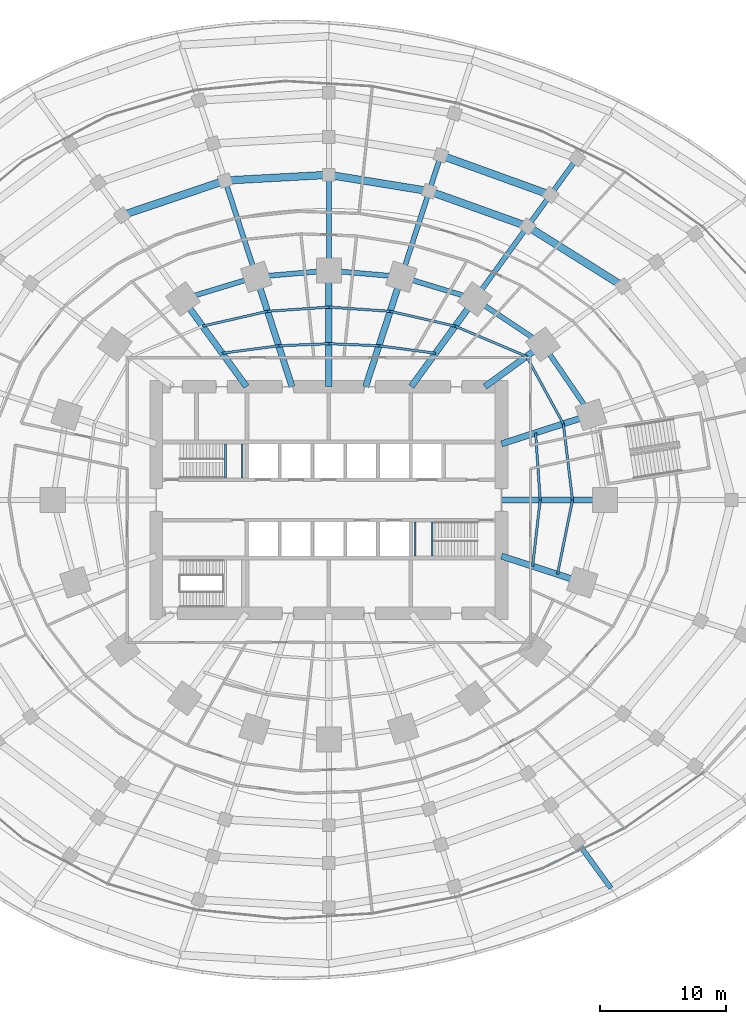
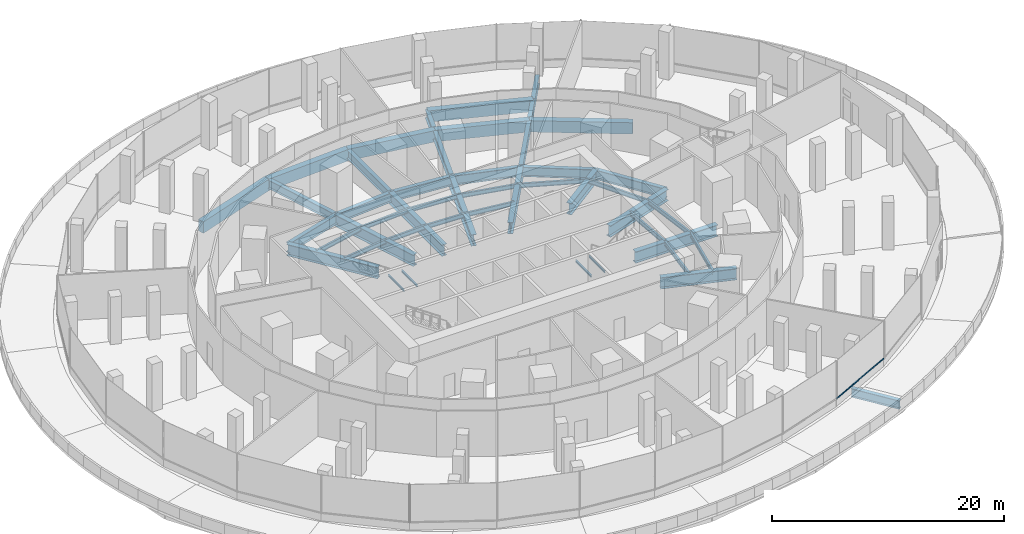
# One storey, part 11 of 31: 47 beams, 1 member, 1 element without a shape of its own.
"""IFC4 building model written with IfcOpenShell, lengths in metres."""

from ifc_helpers import new_model, si_unit, direction, frame, origin, origin_2d, place, context, subcontext, project, spatial, rectangle, i_section, extrude, material, material_profile, profile_set, type_object, element, aggregate, save


model = new_model("IFC4")

# Units and contexts
model_context = context("Model", 3, precision=1e-05, world=origin(), true_north=direction((0.0, 1.0)))
body_context = subcontext(model_context, "Body", "Model", "MODEL_VIEW")
ifc_project = project(units=[si_unit("LENGTHUNIT", "METRE"), si_unit("AREAUNIT", "SQUARE_METRE"), si_unit("VOLUMEUNIT", "CUBIC_METRE"), si_unit("PLANEANGLEUNIT", "RADIAN"), si_unit("MASSUNIT", "GRAM", prefix="KILO")], contexts=[model_context])

# Site, building, storey
site_placement = place(None, origin())
site = spatial("IfcSite", under=ifc_project, at=site_placement, CompositionType="ELEMENT")
building_placement = place(site_placement, origin())
building = spatial("IfcBuilding", under=site, at=building_placement, Name="Marramba Exchange Tower", CompositionType="ELEMENT")
storey_placement = place(building_placement, frame((0.0, 0.0, 5.60009765625)))
storey = spatial("IfcBuildingStorey", under=building, at=storey_placement, Name="L01", CompositionType="ELEMENT", Elevation=5.60009765625)

# Beams
ifc_material_1 = material(Name="Concrete N50", Category="concrete")
ifc_material_profile_1 = material_profile(ifc_material_1, rectangle(XDim=0.60009765625, YDim=1.199951171875, at=origin_2d()), Name="RC 600x1200")
ifc_profile_set_1 = profile_set([ifc_material_profile_1], Name="Concrete N50")
beam_type_1 = type_object("IfcBeamType", Name="Edge beam RC 600x1200 N50", PredefinedType="SPANDREL", material=ifc_profile_set_1)
beam_1_placement = place(storey_placement, frame((17.585205078125, 24.203857421875, -0.800048828125), z_axis=(-0.940481976413, 0.339843569958, 0.0), x_axis=(-0.339843569958, -0.940481976413, 0.0)))
element("IfcBeam", 1, at=beam_1_placement, inside=storey, type_object=beam_type_1, Name="Edge beam L01 P2C04", PredefinedType="SPANDREL", context=body_context, shape_type="SweptSolid", body=[
    extrude(rectangle(XDim=0.60009765625, YDim=1.199951171875, at=origin_2d()), origin(), (0.0, 0.0, 1.0), 9.25),
])
beam_2_placement = place(storey_placement, frame((23.34228515625, 16.959228515625, -0.800048828125), z_axis=(-0.847342315291, 0.531047079567, 0.0), x_axis=(-0.531047079567, -0.847342315291, 0.0)))
element("IfcBeam", 2, at=beam_2_placement, inside=storey, type_object=beam_type_1, Name="Edge beam L01 P3C03", PredefinedType="SPANDREL", context=body_context, shape_type="SweptSolid", body=[
    extrude(rectangle(XDim=0.60009765625, YDim=1.199951171875, at=origin_2d()), origin(), (0.0, 0.0, 1.0), 8.936767578125),
])
beam_3_placement = place(storey_placement, frame((15.769775390625, 21.705078125, -0.800048828125), z_axis=(-0.941347695699, 0.337438165895, 0.0), x_axis=(-0.337438165895, -0.941347695699, 0.0)))
element("IfcBeam", 3, at=beam_3_placement, inside=storey, type_object=beam_type_1, Name="Edge beam L01 P3C04", PredefinedType="SPANDREL", context=body_context, shape_type="SweptSolid", body=[
    extrude(rectangle(XDim=0.60009765625, YDim=1.199951171875, at=origin_2d()), origin(), (0.0, 0.0, 1.0), 8.29443359375),
])
beam_4_placement = place(storey_placement, frame((7.9619140625, 24.50390625, -0.800048828125), z_axis=(-0.987006935066, 0.160677659091, 0.0), x_axis=(-0.160677659091, -0.987006935066, 0.0)))
element("IfcBeam", 4, at=beam_4_placement, inside=storey, type_object=beam_type_1, Name="Edge beam L01 P3C05", PredefinedType="SPANDREL", context=body_context, shape_type="SweptSolid", body=[
    extrude(rectangle(XDim=0.60009765625, YDim=1.199951171875, at=origin_2d()), origin(), (0.0, 0.0, 1.0), 8.066650390625),
])
beam_5_placement = place(storey_placement, frame((0.0, 25.800048828125, -0.800048828125), z_axis=(-0.998493145598, -0.054876572358, 0.0), x_axis=(0.054876572358, -0.998493145598, 0.0)))
element("IfcBeam", 5, at=beam_5_placement, inside=storey, type_object=beam_type_1, Name="Edge beam L01 P3C06", PredefinedType="SPANDREL", context=body_context, shape_type="SweptSolid", body=[
    extrude(rectangle(XDim=0.60009765625, YDim=1.199951171875, at=origin_2d()), origin(), (0.0, 0.0, 1.0), 8.248291015625),
])
beam_6_placement = place(storey_placement, frame((-8.23583984375, 25.347412109375, -0.800048828125), z_axis=(-0.947330534482, -0.320257487715, 0.0), x_axis=(0.320257487715, -0.947330534482, 0.0)))
element("IfcBeam", 6, at=beam_6_placement, inside=storey, type_object=beam_type_1, Name="Edge beam L01 P3C07", PredefinedType="SPANDREL", context=body_context, shape_type="SweptSolid", body=[
    extrude(rectangle(XDim=0.60009765625, YDim=1.199951171875, at=origin_2d()), origin(), (0.0, 0.0, 1.0), 8.627197265625),
])
ifc_material_2 = material(Name="Steel AS/NZS 3679.1 grade 300", Category="steel")
ifc_material_profile_2 = material_profile(ifc_material_2, i_section(OverallWidth=0.18994140625, OverallDepth=0.4541015625, WebThickness=0.008544921875, FlangeThickness=0.0126953125, FilletRadius=0.011474609375, at=origin_2d()), Name="460UB67.1")
ifc_profile_set_2 = profile_set([ifc_material_profile_2], Name="Steel AS/NZS 3679.1 grade 300")
beam_type_2 = type_object("IfcBeamType", Name="Floor joist 460UB67.1", PredefinedType="JOIST", material=ifc_profile_set_2)
beam_7_placement = place(storey_placement, frame((16.7666015625, 0.0, -0.427001953125), z_axis=(-0.068096259546, 0.99767875563, 0.0), x_axis=(-0.99767875563, -0.068096259546, 0.0)))
element("IfcBeam", 7, at=beam_7_placement, inside=storey, type_object=beam_type_2, Name="Joist L01 bay 01 row 1", PredefinedType="JOIST", context=body_context, shape_type="SweptSolid", body=[
    extrude(i_section(OverallWidth=0.18994140625, OverallDepth=0.4541015625, WebThickness=0.008544921875, FlangeThickness=0.0126953125, FilletRadius=0.011474609375, at=origin_2d()), origin(), (0.0, 0.0, 1.0), 5.342041015625),
])
beam_8_placement = place(storey_placement, frame((19.333251953125, 0.0, -0.427001953125), z_axis=(-0.119523078538, 0.992831422597, 0.0), x_axis=(-0.992831422597, -0.119523078538, 0.0)))
element("IfcBeam", 8, at=beam_8_placement, inside=storey, type_object=beam_type_2, Name="Joist L01 bay 01 row 2", PredefinedType="JOIST", context=body_context, shape_type="SweptSolid", body=[
    extrude(i_section(OverallWidth=0.18994140625, OverallDepth=0.4541015625, WebThickness=0.008544921875, FlangeThickness=0.0126953125, FilletRadius=0.011474609375, at=origin_2d()), origin(), (0.0, 0.0, 1.0), 6.089111328125),
])
beam_9_placement = place(storey_placement, frame((18.60546875, 6.04541015625, -0.427001953125), z_axis=(-0.479584443791, 0.877495732909, 0.0), x_axis=(-0.877495732909, -0.479584443791, 0.0)))
element("IfcBeam", 9, at=beam_9_placement, inside=storey, type_object=beam_type_2, Name="Joist L01 bay 02 row 2", PredefinedType="JOIST", context=body_context, shape_type="SweptSolid", body=[
    extrude(i_section(OverallWidth=0.18994140625, OverallDepth=0.4541015625, WebThickness=0.008544921875, FlangeThickness=0.0126953125, FilletRadius=0.011474609375, at=origin_2d()), origin(), (0.0, 0.0, 1.0), 6.094970703125),
])
beam_10_placement = place(storey_placement, frame((15.682373046875, 11.393798828125, -0.427001953125), z_axis=(-0.920674336375, 0.390331610738, 0.0), x_axis=(-0.390331610738, -0.920674336375, 0.0)))
element("IfcBeam", 10, at=beam_10_placement, inside=storey, type_object=beam_type_2, Name="Joist L01 bay 03 row 2", PredefinedType="JOIST", context=body_context, shape_type="SweptSolid", body=[
    extrude(i_section(OverallWidth=0.18994140625, OverallDepth=0.4541015625, WebThickness=0.008544921875, FlangeThickness=0.0126953125, FilletRadius=0.011474609375, at=origin_2d()), origin(), (0.0, 0.0, 1.0), 6.1484375),
])
beam_11_placement = place(storey_placement, frame((8.4619140625, 11.646728515625, -0.427001953125), z_axis=(-0.991480538255, 0.130254912618, 0.0), x_axis=(-0.130254912618, -0.991480538255, 0.0)))
element("IfcBeam", 11, at=beam_11_placement, inside=storey, type_object=beam_type_2, Name="Joist L01 bay 04 row 1", PredefinedType="JOIST", context=body_context, shape_type="SweptSolid", body=[
    extrude(i_section(OverallWidth=0.18994140625, OverallDepth=0.4541015625, WebThickness=0.008544921875, FlangeThickness=0.0126953125, FilletRadius=0.011474609375, at=origin_2d()), origin(), (0.0, 0.0, 1.0), 4.524658203125),
])
beam_12_placement = place(storey_placement, frame((10.021728515625, 13.793701171875, -0.427001953125), z_axis=(-0.974859652292, 0.222819788916, 0.0), x_axis=(-0.222819788916, -0.974859652292, 0.0)))
element("IfcBeam", 12, at=beam_12_placement, inside=storey, type_object=beam_type_2, Name="Joist L01 bay 04 row 2", PredefinedType="JOIST", context=body_context, shape_type="SweptSolid", body=[
    extrude(i_section(OverallWidth=0.18994140625, OverallDepth=0.4541015625, WebThickness=0.008544921875, FlangeThickness=0.0126953125, FilletRadius=0.011474609375, at=origin_2d()), origin(), (0.0, 0.0, 1.0), 5.2900390625),
])
beam_13_placement = place(storey_placement, frame((3.975830078125, 12.236083984375, -0.427001953125), z_axis=(-0.999137002892, 0.041536122257, 0.0), x_axis=(-0.041536122257, -0.999137002892, 0.0)))
element("IfcBeam", 13, at=beam_13_placement, inside=storey, type_object=beam_type_2, Name="Joist L01 bay 05 row 1", PredefinedType="JOIST", context=body_context, shape_type="SweptSolid", body=[
    extrude(i_section(OverallWidth=0.18994140625, OverallDepth=0.4541015625, WebThickness=0.008544921875, FlangeThickness=0.0126953125, FilletRadius=0.011474609375, at=origin_2d()), origin(), (0.0, 0.0, 1.0), 3.979248046875),
])
beam_14_placement = place(storey_placement, frame((4.86474609375, 14.972412109375, -0.427001953125), z_axis=(-0.997702652202, 0.067745241816, 0.0), x_axis=(-0.067745241816, -0.997702652202, 0.0)))
element("IfcBeam", 14, at=beam_14_placement, inside=storey, type_object=beam_type_2, Name="Joist L01 bay 05 row 2", PredefinedType="JOIST", context=body_context, shape_type="SweptSolid", body=[
    extrude(i_section(OverallWidth=0.18994140625, OverallDepth=0.4541015625, WebThickness=0.008544921875, FlangeThickness=0.0126953125, FilletRadius=0.011474609375, at=origin_2d()), origin(), (0.0, 0.0, 1.0), 4.8759765625),
])
beam_15_placement = place(storey_placement, frame((0.0, 12.4013671875, -0.427001953125), z_axis=(-0.999137002892, -0.041536122257, 0.0), x_axis=(0.041536122257, -0.999137002892, 0.0)))
element("IfcBeam", 15, at=beam_15_placement, inside=storey, type_object=beam_type_2, Name="Joist L01 bay 06 row 1", PredefinedType="JOIST", context=body_context, shape_type="SweptSolid", body=[
    extrude(i_section(OverallWidth=0.18994140625, OverallDepth=0.4541015625, WebThickness=0.008544921875, FlangeThickness=0.0126953125, FilletRadius=0.011474609375, at=origin_2d()), origin(), (0.0, 0.0, 1.0), 3.979248046875),
])
beam_16_placement = place(storey_placement, frame((0.0, 15.302734375, -0.427001953125), z_axis=(-0.997702652202, -0.067745241816, 0.0), x_axis=(0.067745241816, -0.997702652202, 0.0)))
element("IfcBeam", 16, at=beam_16_placement, inside=storey, type_object=beam_type_2, Name="Joist L01 bay 06 row 2", PredefinedType="JOIST", context=body_context, shape_type="SweptSolid", body=[
    extrude(i_section(OverallWidth=0.18994140625, OverallDepth=0.4541015625, WebThickness=0.008544921875, FlangeThickness=0.0126953125, FilletRadius=0.011474609375, at=origin_2d()), origin(), (0.0, 0.0, 1.0), 4.8759765625),
])
beam_17_placement = place(storey_placement, frame((-3.975830078125, 12.236083984375, -0.427001953125), z_axis=(-0.991480538255, -0.130254912618, 0.0), x_axis=(0.130254912618, -0.991480538255, 0.0)))
element("IfcBeam", 17, at=beam_17_placement, inside=storey, type_object=beam_type_2, Name="Joist L01 bay 07 row 1", PredefinedType="JOIST", context=body_context, shape_type="SweptSolid", body=[
    extrude(i_section(OverallWidth=0.18994140625, OverallDepth=0.4541015625, WebThickness=0.008544921875, FlangeThickness=0.0126953125, FilletRadius=0.011474609375, at=origin_2d()), origin(), (0.0, 0.0, 1.0), 4.524658203125),
])
beam_18_placement = place(storey_placement, frame((-4.86474609375, 14.972412109375, -0.427001953125), z_axis=(-0.974859652292, -0.222819788916, 0.0), x_axis=(0.222819788916, -0.974859652292, 0.0)))
element("IfcBeam", 18, at=beam_18_placement, inside=storey, type_object=beam_type_2, Name="Joist L01 bay 07 row 2", PredefinedType="JOIST", context=body_context, shape_type="SweptSolid", body=[
    extrude(i_section(OverallWidth=0.18994140625, OverallDepth=0.4541015625, WebThickness=0.008544921875, FlangeThickness=0.0126953125, FilletRadius=0.011474609375, at=origin_2d()), origin(), (0.0, 0.0, 1.0), 5.2900390625),
])
beam_19_placement = place(storey_placement, frame((16.169677734375, -5.25390625, -0.427001953125), z_axis=(0.112888968594, 0.993607609054, 0.0), x_axis=(-0.993607609054, 0.112888968594, 0.0)))
element("IfcBeam", 19, at=beam_19_placement, inside=storey, type_object=beam_type_2, Name="Joist L01 bay 20 row 1", PredefinedType="JOIST", context=body_context, shape_type="SweptSolid", body=[
    extrude(i_section(OverallWidth=0.18994140625, OverallDepth=0.4541015625, WebThickness=0.008544921875, FlangeThickness=0.0126953125, FilletRadius=0.011474609375, at=origin_2d()), origin(), (0.0, 0.0, 1.0), 5.28759765625),
])
beam_20_placement = place(storey_placement, frame((18.1396484375, -5.893798828125, -0.427001953125), z_axis=(0.198489047047, 0.980103105904, 0.0), x_axis=(-0.980103105904, 0.198489047047, 0.0)))
element("IfcBeam", 20, at=beam_20_placement, inside=storey, type_object=beam_type_2, Name="Joist L01 bay 20 row 2", PredefinedType="JOIST", context=body_context, shape_type="SweptSolid", body=[
    extrude(i_section(OverallWidth=0.18994140625, OverallDepth=0.4541015625, WebThickness=0.008544921875, FlangeThickness=0.0126953125, FilletRadius=0.011474609375, at=origin_2d()), origin(), (0.0, 0.0, 1.0), 6.013427734375),
])

# Curtain wall, member
ifc_material_3 = material(Name="Aluminium framing, bronze anodised", Category="aluminium")
curtain_wall_type = type_object("IfcCurtainWallType", Name="Podium ribbon curtain wall", PredefinedType="USERDEFINED", material=ifc_material_3)
curtain_wall_placement = place(storey_placement, origin())
curtain_wall = element("IfcCurtainWall", 21, at=curtain_wall_placement, inside=storey, type_object=curtain_wall_type, Name="Curtain wall CW2 L01 F26-F27", ObjectType="RIBBON CURTAIN WALL", PredefinedType="USERDEFINED")
ifc_material_4 = material(Name="Aluminium transom, bronze anodised", Category="aluminium")
ifc_material_profile_3 = material_profile(ifc_material_4, rectangle(XDim=0.06005859375, YDim=0.1201171875, at=origin_2d()), Name="CW2 transom 60x120")
ifc_profile_set_3 = profile_set([ifc_material_profile_3], Name="Aluminium transom, bronze anodised")
member_type = type_object("IfcMemberType", Name="Podium ribbon curtain wall transom", PredefinedType="USERDEFINED", material=ifc_profile_set_3)
member_placement = place(storey_placement, frame((16.943115234375, -29.226806640625, 0.829833984375), z_axis=(0.899119736652, 0.437702752063, 0.0), x_axis=(-0.437702752063, 0.899119736652, 0.0)))
member = element("IfcMember", 22, at=member_placement, type_object=member_type, Name="CW2 sill transom", ObjectType="TRANSOM", PredefinedType="USERDEFINED", context=body_context, shape_type="SweptSolid", body=[
    extrude(rectangle(XDim=0.06005859375, YDim=0.1201171875, at=origin_2d()), origin(), (0.0, 0.0, 1.0), 7.247802734375),
])
aggregate(curtain_wall, [member])

# Beams
ifc_material_5 = material(Name="Steel AS/NZS 3679.2 grade 300", Category="steel")
ifc_material_profile_4 = material_profile(ifc_material_5, i_section(OverallWidth=0.5, OverallDepth=1.199951171875, WebThickness=0.01611328125, FlangeThickness=0.0400390625, at=origin_2d()), Name="1200WB455")
ifc_profile_set_4 = profile_set([ifc_material_profile_4], Name="Steel AS/NZS 3679.2 grade 300")
beam_type_3 = type_object("IfcBeamType", Name="Radial girder 1200WB455", PredefinedType="BEAM", material=ifc_profile_set_4)
beam_21_placement = place(storey_placement, frame((13.699951171875, 0.0, -0.800048828125), z_axis=(1.0, 0.0, 0.0), x_axis=(0.0, 1.0, 0.0)))
element("IfcBeam", 23, at=beam_21_placement, inside=storey, type_object=beam_type_3, Name="Radial girder L01 TC01", PredefinedType="BEAM", context=body_context, shape_type="SweptSolid", body=[
    extrude(i_section(OverallWidth=0.5, OverallDepth=1.199951171875, WebThickness=0.01611328125, FlangeThickness=0.0400390625, at=origin_2d()), origin(), (0.0, 0.0, 1.0), 8.199951171875),
])
beam_22_placement = place(storey_placement, frame((13.699951171875, 4.451416015625, -0.800048828125), z_axis=(0.951059990189, 0.309006302624, 0.0), x_axis=(-0.309006302624, 0.951059990189, 0.0)))
element("IfcBeam", 24, at=beam_22_placement, inside=storey, type_object=beam_type_3, Name="Radial girder L01 TC02", PredefinedType="BEAM", context=body_context, shape_type="SweptSolid", body=[
    extrude(i_section(OverallWidth=0.5, OverallDepth=1.199951171875, WebThickness=0.01611328125, FlangeThickness=0.0400390625, at=origin_2d()), origin(), (0.0, 0.0, 1.0), 7.47412109375),
])
beam_23_placement = place(storey_placement, frame((12.387451171875, 9.0, -0.800048828125), z_axis=(0.809025746925, 0.587773205252, 0.0), x_axis=(-0.587773205252, 0.809025746925, 0.0)))
element("IfcBeam", 25, at=beam_23_placement, inside=storey, type_object=beam_type_3, Name="Radial girder L01 TC03", PredefinedType="BEAM", context=body_context, shape_type="SweptSolid", body=[
    extrude(i_section(OverallWidth=0.5, OverallDepth=1.199951171875, WebThickness=0.01611328125, FlangeThickness=0.0400390625, at=origin_2d()), origin(), (0.0, 0.0, 1.0), 5.683837890625),
])
beam_24_placement = place(storey_placement, frame((6.538818359375, 9.0, -0.800048828125), z_axis=(0.587782439969, 0.80901903764, 0.0), x_axis=(-0.80901903764, 0.587782439969, 0.0)))
element("IfcBeam", 26, at=beam_24_placement, inside=storey, type_object=beam_type_3, Name="Radial girder L01 TC04", PredefinedType="BEAM", context=body_context, shape_type="SweptSolid", body=[
    extrude(i_section(OverallWidth=0.5, OverallDepth=1.199951171875, WebThickness=0.01611328125, FlangeThickness=0.0400390625, at=origin_2d()), origin(), (0.0, 0.0, 1.0), 8.578857421875),
])
beam_25_placement = place(storey_placement, frame((2.92431640625, 9.0, -0.800048828125), z_axis=(0.309019754162, 0.951055619582, 0.0), x_axis=(-0.951055619582, 0.309019754162, 0.0)))
element("IfcBeam", 27, at=beam_25_placement, inside=storey, type_object=beam_type_3, Name="Radial girder L01 TC05", PredefinedType="BEAM", context=body_context, shape_type="SweptSolid", body=[
    extrude(i_section(OverallWidth=0.5, OverallDepth=1.199951171875, WebThickness=0.01611328125, FlangeThickness=0.0400390625, at=origin_2d()), origin(), (0.0, 0.0, 1.0), 9.15673828125),
])
beam_26_placement = place(storey_placement, frame((0.0, 9.0, -0.800048828125), z_axis=(0.0, 1.0, 0.0), x_axis=(-1.0, 0.0, 0.0)))
element("IfcBeam", 28, at=beam_26_placement, inside=storey, type_object=beam_type_3, Name="Radial girder L01 TC06", PredefinedType="BEAM", context=body_context, shape_type="SweptSolid", body=[
    extrude(i_section(OverallWidth=0.5, OverallDepth=1.199951171875, WebThickness=0.01611328125, FlangeThickness=0.0400390625, at=origin_2d()), origin(), (0.0, 0.0, 1.0), 9.2041015625),
])
beam_27_placement = place(storey_placement, frame((-2.92431640625, 9.0, -0.800048828125), z_axis=(-0.309019754162, 0.951055619582, 0.0), x_axis=(-0.951055619582, -0.309019754162, 0.0)))
element("IfcBeam", 29, at=beam_27_placement, inside=storey, type_object=beam_type_3, Name="Radial girder L01 TC07", PredefinedType="BEAM", context=body_context, shape_type="SweptSolid", body=[
    extrude(i_section(OverallWidth=0.5, OverallDepth=1.199951171875, WebThickness=0.01611328125, FlangeThickness=0.0400390625, at=origin_2d()), origin(), (0.0, 0.0, 1.0), 9.15673828125),
])
beam_28_placement = place(storey_placement, frame((-6.538818359375, 9.0, -0.800048828125), z_axis=(-0.587782439969, 0.80901903764, 0.0), x_axis=(-0.80901903764, -0.587782439969, 0.0)))
element("IfcBeam", 30, at=beam_28_placement, inside=storey, type_object=beam_type_3, Name="Radial girder L01 TC08", PredefinedType="BEAM", context=body_context, shape_type="SweptSolid", body=[
    extrude(i_section(OverallWidth=0.5, OverallDepth=1.199951171875, WebThickness=0.01611328125, FlangeThickness=0.0400390625, at=origin_2d()), origin(), (0.0, 0.0, 1.0), 8.578857421875),
])
beam_29_placement = place(storey_placement, frame((13.699951171875, -4.451416015625, -0.800048828125), z_axis=(0.951057759669, -0.309013167637, 0.0), x_axis=(0.309013167637, 0.951057759669, 0.0)))
element("IfcBeam", 31, at=beam_29_placement, inside=storey, type_object=beam_type_3, Name="Radial girder L01 TC20", PredefinedType="BEAM", context=body_context, shape_type="SweptSolid", body=[
    extrude(i_section(OverallWidth=0.5, OverallDepth=1.199951171875, WebThickness=0.01611328125, FlangeThickness=0.0400390625, at=origin_2d()), origin(), (0.0, 0.0, 1.0), 6.7392578125),
])
ifc_material_profile_5 = material_profile(ifc_material_5, i_section(OverallWidth=0.39990234375, OverallDepth=0.89990234375, WebThickness=0.01611328125, FlangeThickness=0.031982421875, at=origin_2d()), Name="900WB282")
ifc_profile_set_5 = profile_set([ifc_material_profile_5], Name="Steel AS/NZS 3679.2 grade 300")
beam_type_4 = type_object("IfcBeamType", Name="Radial girder 900WB282", PredefinedType="BEAM", material=ifc_profile_set_5)
beam_30_placement = place(storey_placement, frame((22.379638671875, -30.802978515625, -0.7001953125), z_axis=(-0.587784362344, 0.809017640959, 0.0), x_axis=(-0.809017640959, -0.587784362344, 0.0)))
element("IfcBeam", 32, at=beam_30_placement, inside=storey, type_object=beam_type_4, Name="Radial girder L01 P0C18", PredefinedType="BEAM", context=body_context, shape_type="SweptSolid", body=[
    extrude(i_section(OverallWidth=0.39990234375, OverallDepth=0.89990234375, WebThickness=0.01611328125, FlangeThickness=0.031982421875, at=origin_2d()), origin(), (0.0, 0.0, 1.0), 4.572998046875),
])
beam_31_placement = place(storey_placement, frame((19.691650390625, 27.103271484375, -0.650146484375), z_axis=(-0.587766567315, -0.809030569476, 0.0), x_axis=(0.809030569476, -0.587766567315, 0.0)))
element("IfcBeam", 33, at=beam_31_placement, inside=storey, type_object=beam_type_4, Name="Radial girder L01 P1C04", PredefinedType="BEAM", context=body_context, shape_type="SweptSolid", body=[
    extrude(i_section(OverallWidth=0.39990234375, OverallDepth=0.89990234375, WebThickness=0.01611328125, FlangeThickness=0.031982421875, at=origin_2d()), origin(), (0.0, 0.0, 1.0), 3.583740234375),
])
beam_32_placement = place(storey_placement, frame((17.585205078125, 24.203857421875, -0.650146484375), z_axis=(-0.587776831065, -0.809023112688, 0.0), x_axis=(0.809023112688, -0.587776831065, 0.0)))
element("IfcBeam", 34, at=beam_32_placement, inside=storey, type_object=beam_type_4, Name="Radial girder L01 P2C04", PredefinedType="BEAM", context=body_context, shape_type="SweptSolid", body=[
    extrude(i_section(OverallWidth=0.39990234375, OverallDepth=0.89990234375, WebThickness=0.01611328125, FlangeThickness=0.031982421875, at=origin_2d()), origin(), (0.0, 0.0, 1.0), 3.088623046875),
])
beam_33_placement = place(storey_placement, frame((8.8857421875, 27.347412109375, -0.650146484375), z_axis=(-0.308991903915, -0.951064668314, 0.0), x_axis=(0.951064668314, -0.308991903915, 0.0)))
element("IfcBeam", 35, at=beam_33_placement, inside=storey, type_object=beam_type_4, Name="Radial girder L01 P2C05", PredefinedType="BEAM", context=body_context, shape_type="SweptSolid", body=[
    extrude(i_section(OverallWidth=0.39990234375, OverallDepth=0.89990234375, WebThickness=0.01611328125, FlangeThickness=0.031982421875, at=origin_2d()), origin(), (0.0, 0.0, 1.0), 2.98974609375),
])
beam_34_placement = place(storey_placement, frame((15.769775390625, 21.705078125, -0.650146484375), z_axis=(-0.587804937429, -0.80900269192, 0.0), x_axis=(0.80900269192, -0.587804937429, 0.0)))
element("IfcBeam", 36, at=beam_34_placement, inside=storey, type_object=beam_type_4, Name="Radial girder L01 P3C04", PredefinedType="BEAM", context=body_context, shape_type="SweptSolid", body=[
    extrude(i_section(OverallWidth=0.39990234375, OverallDepth=0.89990234375, WebThickness=0.01611328125, FlangeThickness=0.031982421875, at=origin_2d()), origin(), (0.0, 0.0, 1.0), 7.125732421875),
])
beam_35_placement = place(storey_placement, frame((7.9619140625, 24.50390625, -0.650146484375), z_axis=(-0.309022717386, -0.951054656757, 0.0), x_axis=(0.951054656757, -0.309022717386, 0.0)))
element("IfcBeam", 37, at=beam_35_placement, inside=storey, type_object=beam_type_4, Name="Radial girder L01 P3C05", PredefinedType="BEAM", context=body_context, shape_type="SweptSolid", body=[
    extrude(i_section(OverallWidth=0.39990234375, OverallDepth=0.89990234375, WebThickness=0.01611328125, FlangeThickness=0.031982421875, at=origin_2d()), origin(), (0.0, 0.0, 1.0), 7.14501953125),
])
beam_36_placement = place(storey_placement, frame((0.0, 25.800048828125, -0.650146484375), z_axis=(0.0, -1.0, 0.0), x_axis=(1.0, 0.0, 0.0)))
element("IfcBeam", 38, at=beam_36_placement, inside=storey, type_object=beam_type_4, Name="Radial girder L01 P3C06", PredefinedType="BEAM", context=body_context, shape_type="SweptSolid", body=[
    extrude(i_section(OverallWidth=0.39990234375, OverallDepth=0.89990234375, WebThickness=0.01611328125, FlangeThickness=0.031982421875, at=origin_2d()), origin(), (0.0, 0.0, 1.0), 7.595947265625),
])
beam_37_placement = place(storey_placement, frame((-8.23583984375, 25.347412109375, -0.650146484375), z_axis=(0.309005656737, -0.951060200042, 0.0), x_axis=(0.951060200042, 0.309005656737, 0.0)))
element("IfcBeam", 39, at=beam_37_placement, inside=storey, type_object=beam_type_4, Name="Radial girder L01 P3C07", PredefinedType="BEAM", context=body_context, shape_type="SweptSolid", body=[
    extrude(i_section(OverallWidth=0.39990234375, OverallDepth=0.89990234375, WebThickness=0.01611328125, FlangeThickness=0.031982421875, at=origin_2d()), origin(), (0.0, 0.0, 1.0), 8.031982421875),
])
ifc_material_profile_6 = material_profile(ifc_material_5, i_section(OverallWidth=0.39990234375, OverallDepth=1.0, WebThickness=0.01611328125, FlangeThickness=0.031982421875, at=origin_2d()), Name="1000WB322")
ifc_profile_set_6 = profile_set([ifc_material_profile_6], Name="Steel AS/NZS 3679.2 grade 300")
beam_type_5 = type_object("IfcBeamType", Name="Ring beam 1000WB322", PredefinedType="SPANDREL", material=ifc_profile_set_6)
beam_38_placement = place(storey_placement, frame((20.808349609375, 6.760986328125, -0.7001953125), z_axis=(-0.56516002054, 0.824981303535, 0.0), x_axis=(-0.824981303535, -0.56516002054, 0.0)))
element("IfcBeam", 40, at=beam_38_placement, inside=storey, type_object=beam_type_5, Name="Ring beam L01 TC02-TC03", PredefinedType="SPANDREL", context=body_context, shape_type="SweptSolid", body=[
    extrude(i_section(OverallWidth=0.39990234375, OverallDepth=1.0, WebThickness=0.01611328125, FlangeThickness=0.031982421875, at=origin_2d()), origin(), (0.0, 0.0, 1.0), 6.763671875),
])
beam_39_placement = place(storey_placement, frame((16.98583984375, 12.3408203125, -0.7001953125), z_axis=(-0.832293151443, 0.554335737673, 0.0), x_axis=(-0.554335737673, -0.832293151443, 0.0)))
element("IfcBeam", 41, at=beam_39_placement, inside=storey, type_object=beam_type_5, Name="Ring beam L01 TC03-TC04", PredefinedType="SPANDREL", context=body_context, shape_type="SweptSolid", body=[
    extrude(i_section(OverallWidth=0.39990234375, OverallDepth=1.0, WebThickness=0.01611328125, FlangeThickness=0.031982421875, at=origin_2d()), origin(), (0.0, 0.0, 1.0), 6.49365234375),
])
beam_40_placement = place(storey_placement, frame((11.581298828125, 15.9404296875, -0.7001953125), z_axis=(-0.956924542524, 0.290336735387, 0.0), x_axis=(-0.290336735387, -0.956924542524, 0.0)))
element("IfcBeam", 42, at=beam_40_placement, inside=storey, type_object=beam_type_5, Name="Ring beam L01 TC04-TC05", PredefinedType="SPANDREL", context=body_context, shape_type="SweptSolid", body=[
    extrude(i_section(OverallWidth=0.39990234375, OverallDepth=1.0, WebThickness=0.01611328125, FlangeThickness=0.031982421875, at=origin_2d()), origin(), (0.0, 0.0, 1.0), 6.089599609375),
])
for number, where, z_axis, x_axis, name in (
    (43, (5.75390625, 17.70849609375, -0.7001953125), (-0.996311003275, 0.085815993578, 0.0), (-0.085815993578, -0.996311003275, 0.0), "Ring beam L01 TC05-TC06"),
    (44, (0.0, 18.2041015625, -0.7001953125), (-0.996311003275, -0.085815993578, 0.0), (0.085815993578, -0.996311003275, 0.0), "Ring beam L01 TC06-TC07"),
):
    element("IfcBeam", number, at=place(storey_placement, frame(where, z_axis=z_axis, x_axis=x_axis)), inside=storey, type_object=beam_type_5, Name=name, PredefinedType="SPANDREL", context=body_context, shape_type="SweptSolid", body=[
        extrude(i_section(OverallWidth=0.39990234375, OverallDepth=1.0, WebThickness=0.01611328125, FlangeThickness=0.031982421875, at=origin_2d()), origin(), (0.0, 0.0, 1.0), 5.775146484375),
    ])
beam_41_placement = place(storey_placement, frame((-5.75390625, 17.70849609375, -0.7001953125), z_axis=(-0.956924542524, -0.290336735387, 0.0), x_axis=(0.290336735387, -0.956924542524, 0.0)))
element("IfcBeam", 45, at=beam_41_placement, inside=storey, type_object=beam_type_5, Name="Ring beam L01 TC07-TC08", PredefinedType="SPANDREL", context=body_context, shape_type="SweptSolid", body=[
    extrude(i_section(OverallWidth=0.39990234375, OverallDepth=1.0, WebThickness=0.01611328125, FlangeThickness=0.031982421875, at=origin_2d()), origin(), (0.0, 0.0, 1.0), 6.089599609375),
])
ifc_material_profile_7 = material_profile(ifc_material_2, i_section(OverallWidth=0.133056640625, OverallDepth=0.202880859375, WebThickness=0.005859375, FlangeThickness=0.0078125, FilletRadius=0.0087890625, at=origin_2d()), Name="200UB25.4")
ifc_profile_set_7 = profile_set([ifc_material_profile_7], Name="Steel AS/NZS 3679.1 grade 300")
beam_type_6 = type_object("IfcBeamType", Name="Stair landing beam 200UB25.4", PredefinedType="BEAM", material=ifc_profile_set_7)
for number, where, z_axis, x_axis, name in (
    (46, (-8.20361328125, 1.75, 2.198486328125), (0.0, 1.0, 0.0), (-1.0, 0.0, 0.0), "Stair landing beam SLB1 ST1 L01 1"),
    (47, (-6.866455078125, 1.75, 2.198486328125), (0.0, 1.0, 0.0), (-1.0, 0.0, 0.0), "Stair landing beam SLB1 ST1 L01 2"),
    (48, (6.866455078125, -4.449951171875, 2.198486328125), (0.0, 1.0, 0.0), (-1.0, 0.0, 0.0), "Stair landing beam SLB1 ST2 L01 1"),
    (49, (8.20361328125, -4.449951171875, 2.198486328125), (0.0, 1.0, 0.0), (-1.0, 0.0, 0.0), "Stair landing beam SLB1 ST2 L01 2"),
):
    element("IfcBeam", number, at=place(storey_placement, frame(where, z_axis=z_axis, x_axis=x_axis)), inside=storey, type_object=beam_type_6, Name=name, PredefinedType="BEAM", context=body_context, shape_type="SweptSolid", body=[
        extrude(i_section(OverallWidth=0.133056640625, OverallDepth=0.202880859375, WebThickness=0.005859375, FlangeThickness=0.0078125, FilletRadius=0.0087890625, at=origin_2d()), origin(), (0.0, 0.0, 1.0), 2.699951171875),
    ])

save(model, "model.ifc")
